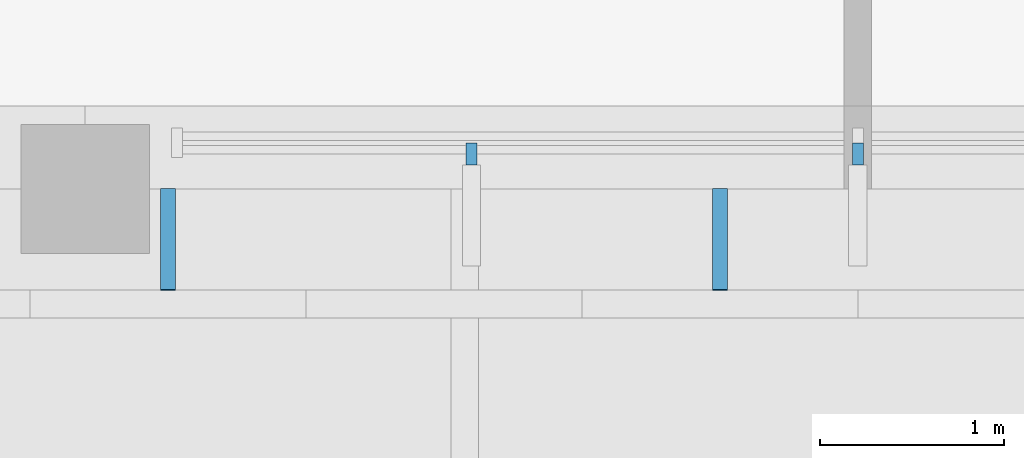
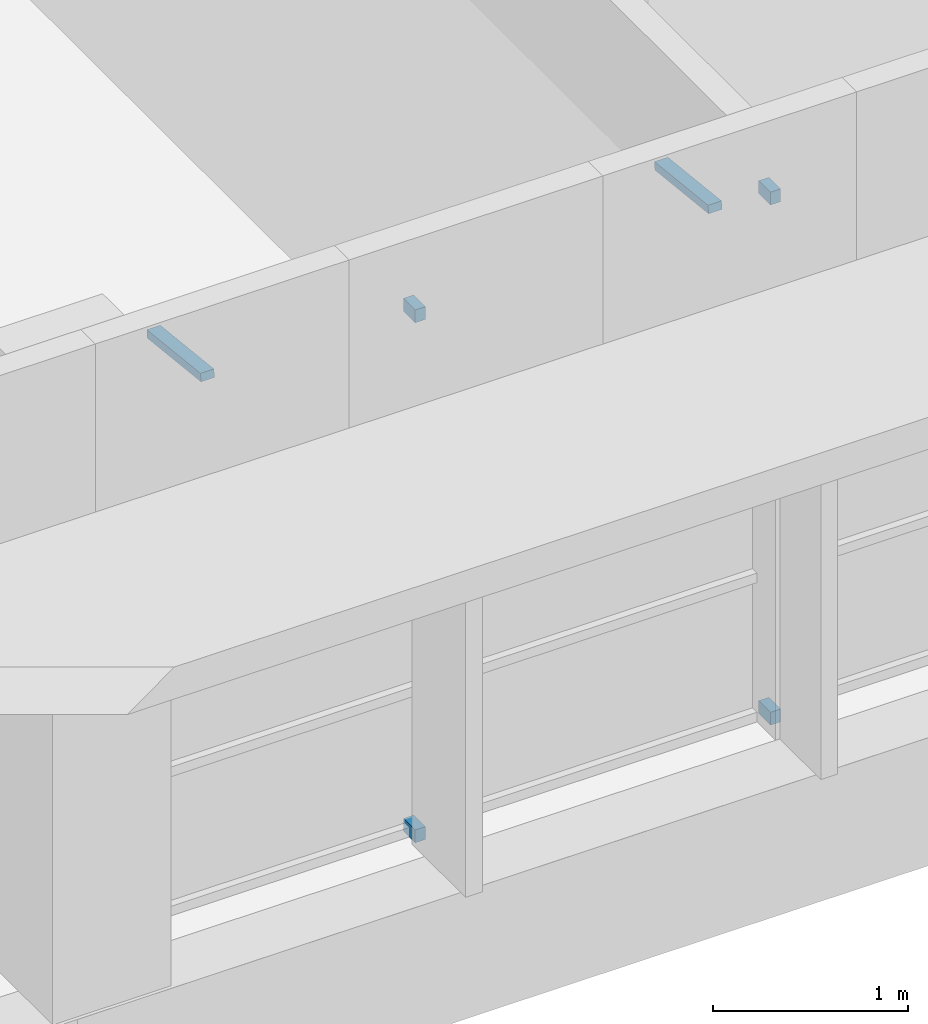
# One storey, part 47 of 71: 6 discrete accessories.
"""IFC4 building model written with IfcOpenShell, lengths in metres."""

from ifc_helpers import new_model, si_unit, direction, frame, origin, origin_2d, place, context, subcontext, project, spatial, rectangle, extrude, material, material_profile, profile_set, type_object, element, save


model = new_model("IFC4")

# Units and contexts
model_context = context("Model", 3, precision=1e-05, world=origin(), true_north=direction((0.0, 1.0)))
body_context = subcontext(model_context, "Body", "Model", "MODEL_VIEW")
ifc_project = project(units=[si_unit("LENGTHUNIT", "METRE"), si_unit("AREAUNIT", "SQUARE_METRE"), si_unit("VOLUMEUNIT", "CUBIC_METRE"), si_unit("PLANEANGLEUNIT", "RADIAN"), si_unit("MASSUNIT", "GRAM", prefix="KILO")], contexts=[model_context])

# Site, building, storey
site_placement = place(None, origin())
site = spatial("IfcSite", under=ifc_project, at=site_placement, CompositionType="ELEMENT")
building_placement = place(site_placement, origin())
building = spatial("IfcBuilding", under=site, at=building_placement, Name="Bougainvillea Quay General Hospital", CompositionType="ELEMENT")
storey_placement = place(building_placement, frame((0.0, 0.0, 24.89990234375)))
storey = spatial("IfcBuildingStorey", under=building, at=storey_placement, Name="L05", CompositionType="ELEMENT", Elevation=24.89990234375)

# Discrete accessories
ifc_material = material(Name="Stainless steel bracket, grade 316", Category="steel")
discrete_accessory_type_1 = type_object("IfcDiscreteAccessoryType", Name="Stainless steel fin arm 60x80", PredefinedType="BRACKET", material=ifc_material)
for number, where, z_axis, x_axis, name in (
    (1, (105.0, 117.7900390625, 0.0), (0.0, 0.0, 1.0), (0.0, -1.0, 0.0), "Fin arm V5B L05 01.23B"),
    (2, (105.0, 117.7900390625, 3.25), (0.0, 0.0, 1.0), (0.0, -1.0, 0.0), "Fin arm V5B L05 01.23T"),
    (3, (102.89990234375, 117.7900390625, 0.0), (0.0, 0.0, 1.0), (0.0, -1.0, 0.0), "Fin arm V5B L05 01.24B"),
    (4, (102.89990234375, 117.7900390625, 3.25), (0.0, 0.0, 1.0), (0.0, -1.0, 0.0), "Fin arm V5B L05 01.24T"),
):
    element("IfcDiscreteAccessory", number, at=place(storey_placement, frame(where, z_axis=z_axis, x_axis=x_axis)), inside=storey, type_object=discrete_accessory_type_1, Name=name, PredefinedType="BRACKET", context=body_context, shape_type="SweptSolid", body=[
        extrude(rectangle(XDim=0.1201171875, YDim=0.06005859375, at=origin_2d()), origin(), (0.0, 0.0, 1.0), 0.080078125),
    ])
ifc_material_profile = material_profile(ifc_material, rectangle(XDim=0.080078125, YDim=0.050048828125, at=origin_2d()))
ifc_profile_set = profile_set([ifc_material_profile], Name="Stainless steel bracket, grade 316")
discrete_accessory_type_2 = type_object("IfcDiscreteAccessoryType", Name="Stainless steel stand-off bracket 80x50", PredefinedType="BRACKET", material=ifc_profile_set)
for number, where, z_axis, x_axis, name in (
    (5, (101.25, 117.60009765625, 3.840087890625), (0.0, -0.994091793559, 0.108542645901), (1.0, 0.0, 0.0), "Fascia bracket e0 53"),
    (6, (104.25, 117.60009765625, 3.840087890625), (0.0, -0.994091793559, 0.108542645901), (1.0, 0.0, 0.0), "Fascia bracket e0 55"),
):
    element("IfcDiscreteAccessory", number, at=place(storey_placement, frame(where, z_axis=z_axis, x_axis=x_axis)), inside=storey, type_object=discrete_accessory_type_2, Name=name, PredefinedType="BRACKET", context=body_context, shape_type="SweptSolid", body=[
        extrude(rectangle(XDim=0.080078125, YDim=0.050048828125, at=origin_2d()), origin(), (0.0, 0.0, 1.0), 0.55322265625),
    ])

save(model, "model.ifc")
